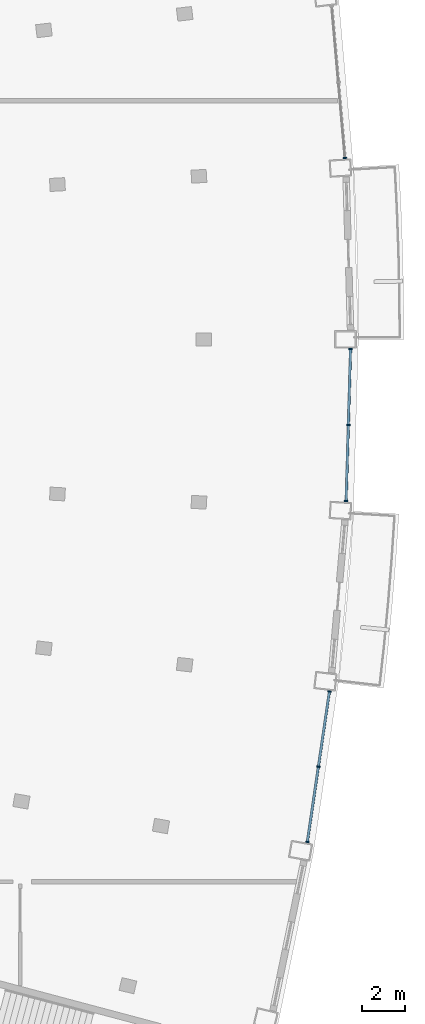
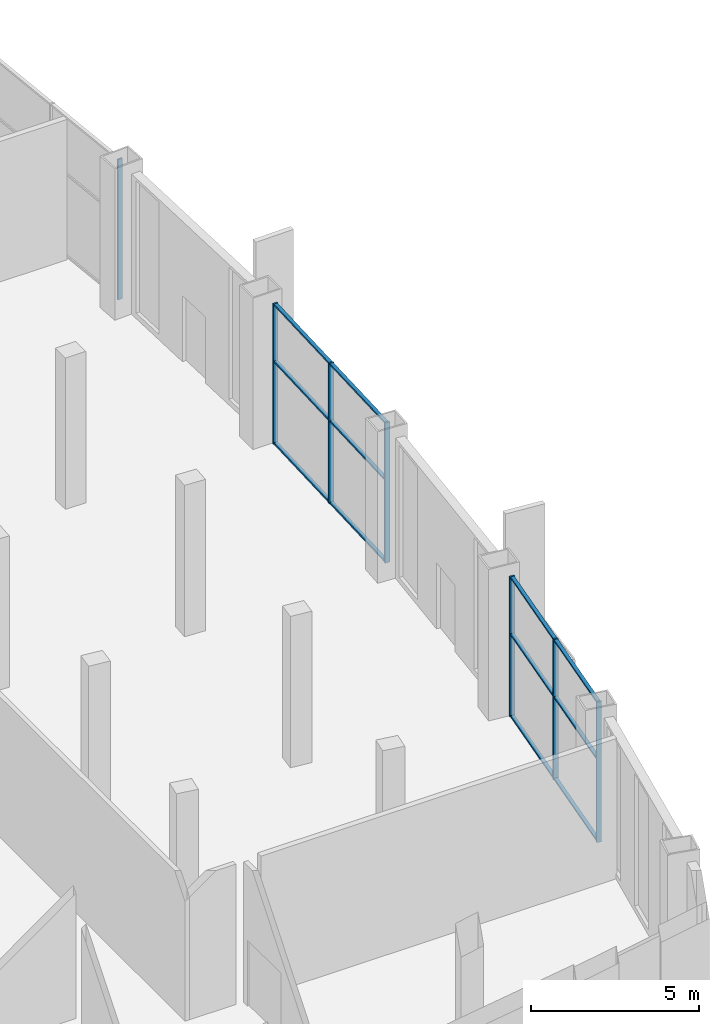
# One storey, part 3 of 13: 19 members, 3 elements without a shape of their own.
"""IFC4 building model written with IfcOpenShell, lengths in metres."""

from ifc_helpers import new_model, si_unit, direction, frame, origin, origin_2d, place, context, subcontext, project, spatial, rectangle, extrude, material, layer, layer_set, material_profile, profile_set, type_object, element, aggregate, save


model = new_model("IFC4")

# Units and contexts
model_context = context("Model", 3, precision=1e-05, world=origin(), true_north=direction((0.0, 1.0)))
body_context = subcontext(model_context, "Body", "Model", "MODEL_VIEW")
ifc_project = project(units=[si_unit("LENGTHUNIT", "METRE"), si_unit("AREAUNIT", "SQUARE_METRE"), si_unit("VOLUMEUNIT", "CUBIC_METRE"), si_unit("PLANEANGLEUNIT", "RADIAN"), si_unit("MASSUNIT", "GRAM", prefix="KILO")], contexts=[model_context])

# Site, building, storey
site_placement = place(None, origin())
site = spatial("IfcSite", under=ifc_project, at=site_placement, CompositionType="ELEMENT")
building_placement = place(site_placement, origin())
building = spatial("IfcBuilding", under=site, at=building_placement, Name="Alderwake Tower", CompositionType="ELEMENT")
storey_placement = place(building_placement, frame((0.0, 0.0, 304.5)))
storey = spatial("IfcBuildingStorey", under=building, at=storey_placement, Name="L74", CompositionType="ELEMENT", Elevation=304.5)

# Curtain wall, members
ifc_material_1 = material(Name="Bronze tinted glass in aluminium frame", Category="aluminium")
ifc_layer = layer(ifc_material_1, 0.199951171875)
ifc_layer_set = layer_set([ifc_layer], Name="Curtain wall CW5 sky amenity glazing")
curtain_wall_type = type_object("IfcCurtainWallType", Name="Curtain wall CW5 sky amenity glazing", PredefinedType="NOTDEFINED", material=ifc_layer_set)
curtain_wall_1_placement = place(storey_placement, origin())
curtain_wall_1 = element("IfcCurtainWall", 1, at=curtain_wall_1_placement, inside=storey, type_object=curtain_wall_type, Name="Curtain wall 1", PredefinedType="NOTDEFINED")
ifc_material_2 = material(Name="Aluminium bronze anodised", Category="aluminium")
ifc_material_profile_1 = material_profile(ifc_material_2, rectangle(XDim=0.159912109375, YDim=0.06005859375, at=origin_2d()), Name="Mullion MUE 60x160")
ifc_profile_set_1 = profile_set([ifc_material_profile_1], Name="Aluminium bronze anodised")
member_type_1 = type_object("IfcMemberType", Name="Mullion MUE 60x160", PredefinedType="MULLION", material=ifc_profile_set_1)
member_1_placement = place(storey_placement, frame((53.643798828125, 37.8291015625, 0.0), z_axis=(0.0, 0.0, 1.0), x_axis=(-0.989386131779, 0.145310296412, 0.0)))
member_1 = element("IfcMember", 2, at=member_1_placement, type_object=member_type_1, Name="CW.01 mullion 1", PredefinedType="MULLION", context=body_context, shape_type="SweptSolid", body=[
    extrude(rectangle(XDim=0.159912109375, YDim=0.06005859375, at=origin_2d()), origin(), (0.0, 0.0, 1.0), 5.10009765625),
])
member_2_placement = place(storey_placement, frame((54.15283203125, 41.296142578125, 0.0), z_axis=(0.0, 0.0, 1.0), x_axis=(-0.989386131779, 0.145310296412, 0.0)))
member_2 = element("IfcMember", 3, at=member_2_placement, type_object=member_type_1, Name="CW.01 mullion 2", PredefinedType="MULLION", context=body_context, shape_type="SweptSolid", body=[
    extrude(rectangle(XDim=0.159912109375, YDim=0.06005859375, at=origin_2d()), origin(), (0.0, 0.0, 1.0), 5.10009765625),
])
member_3_placement = place(storey_placement, frame((54.662109375, 44.76318359375, 0.0), z_axis=(0.0, 0.0, 1.0), x_axis=(-0.989386131779, 0.145310296412, 0.0)))
member_3 = element("IfcMember", 4, at=member_3_placement, type_object=member_type_1, Name="CW.01 mullion 3", PredefinedType="MULLION", context=body_context, shape_type="SweptSolid", body=[
    extrude(rectangle(XDim=0.159912109375, YDim=0.06005859375, at=origin_2d()), origin(), (0.0, 0.0, 1.0), 5.10009765625),
])

curtain_wall_2_placement = place(storey_placement, origin())
curtain_wall_2 = element("IfcCurtainWall", 5, at=curtain_wall_2_placement, inside=storey, type_object=curtain_wall_type, Name="Curtain wall 2", PredefinedType="NOTDEFINED")
member_4_placement = place(storey_placement, frame((55.432373046875, 53.54296875, 0.0), z_axis=(0.0, 0.0, 1.0), x_axis=(-0.99957482948, 0.029157507941, 0.0)))
member_4 = element("IfcMember", 6, at=member_4_placement, type_object=member_type_1, Name="CW.02 mullion 1", PredefinedType="MULLION", context=body_context, shape_type="SweptSolid", body=[
    extrude(rectangle(XDim=0.159912109375, YDim=0.06005859375, at=origin_2d()), origin(), (0.0, 0.0, 1.0), 5.10009765625),
])
member_5_placement = place(storey_placement, frame((55.53466796875, 57.045654296875, 0.0), z_axis=(0.0, 0.0, 1.0), x_axis=(-0.99957482948, 0.029157507941, 0.0)))
member_5 = element("IfcMember", 7, at=member_5_placement, type_object=member_type_1, Name="CW.02 mullion 2", PredefinedType="MULLION", context=body_context, shape_type="SweptSolid", body=[
    extrude(rectangle(XDim=0.159912109375, YDim=0.06005859375, at=origin_2d()), origin(), (0.0, 0.0, 1.0), 5.10009765625),
])
member_6_placement = place(storey_placement, frame((55.63671875, 60.548583984375, 0.0), z_axis=(0.0, 0.0, 1.0), x_axis=(-0.99957482948, 0.029157507941, 0.0)))
member_6 = element("IfcMember", 8, at=member_6_placement, type_object=member_type_1, Name="CW.02 mullion 3", PredefinedType="MULLION", context=body_context, shape_type="SweptSolid", body=[
    extrude(rectangle(XDim=0.159912109375, YDim=0.06005859375, at=origin_2d()), origin(), (0.0, 0.0, 1.0), 5.10009765625),
])

# Curtain wall, member
curtain_wall_3_placement = place(storey_placement, origin())
curtain_wall_3 = element("IfcCurtainWall", 9, at=curtain_wall_3_placement, inside=storey, type_object=curtain_wall_type, Name="Curtain wall 3", PredefinedType="NOTDEFINED")
member_7_placement = place(storey_placement, frame((55.3798828125, 69.3583984375, 0.0), z_axis=(0.0, 0.0, 1.0), x_axis=(-0.996174205388, -0.087389659115, 0.0)))
member_7 = element("IfcMember", 10, at=member_7_placement, type_object=member_type_1, Name="CW.03 mullion 1", PredefinedType="MULLION", context=body_context, shape_type="SweptSolid", body=[
    extrude(rectangle(XDim=0.159912109375, YDim=0.06005859375, at=origin_2d()), origin(), (0.0, 0.0, 1.0), 5.10009765625),
])
aggregate(curtain_wall_3, [member_7])

# Member
ifc_material_3 = material(Name="Aluminium bronze anodised", Category="aluminium")
ifc_material_profile_2 = material_profile(ifc_material_3, rectangle(XDim=0.1201171875, YDim=0.06005859375, at=origin_2d()), Name="Transom TRE 60x120")
ifc_profile_set_2 = profile_set([ifc_material_profile_2], Name="Aluminium bronze anodised")
member_type_2 = type_object("IfcMemberType", Name="Transom TRE 60x120", PredefinedType="USERDEFINED", material=ifc_profile_set_2)
member_8_placement = place(storey_placement, frame((53.648193359375, 37.85888671875, 0.030029296875), z_axis=(0.145320519597, 0.989384630255, 0.0), x_axis=(-0.989384630255, 0.145320519597, 0.0)))
member_8 = element("IfcMember", 11, at=member_8_placement, type_object=member_type_2, Name="CW.01 transom 1.1", ObjectType="TRANSOM", PredefinedType="USERDEFINED", context=body_context, shape_type="SweptSolid", body=[
    extrude(rectangle(XDim=0.1201171875, YDim=0.06005859375, at=origin_2d()), origin(), (0.0, 0.0, 1.0), 3.444091796875),
])

member_9_placement = place(storey_placement, frame((53.648193359375, 37.85888671875, 3.0), z_axis=(0.145320519597, 0.989384630255, 0.0), x_axis=(-0.989384630255, 0.145320519597, 0.0)))
member_9 = element("IfcMember", 12, at=member_9_placement, type_object=member_type_2, Name="CW.01 transom 1.2", ObjectType="TRANSOM", PredefinedType="USERDEFINED", context=body_context, shape_type="SweptSolid", body=[
    extrude(rectangle(XDim=0.1201171875, YDim=0.06005859375, at=origin_2d()), origin(), (0.0, 0.0, 1.0), 3.444091796875),
])

member_10_placement = place(storey_placement, frame((53.648193359375, 37.85888671875, 5.070068359375), z_axis=(0.145320519597, 0.989384630255, 0.0), x_axis=(-0.989384630255, 0.145320519597, 0.0)))
member_10 = element("IfcMember", 13, at=member_10_placement, type_object=member_type_2, Name="CW.01 transom 1.3", ObjectType="TRANSOM", PredefinedType="USERDEFINED", context=body_context, shape_type="SweptSolid", body=[
    extrude(rectangle(XDim=0.1201171875, YDim=0.06005859375, at=origin_2d()), origin(), (0.0, 0.0, 1.0), 3.444091796875),
])

member_11_placement = place(storey_placement, frame((54.1572265625, 41.325927734375, 0.030029296875), z_axis=(0.145320519597, 0.989384630255, 0.0), x_axis=(-0.989384630255, 0.145320519597, 0.0)))
member_11 = element("IfcMember", 14, at=member_11_placement, type_object=member_type_2, Name="CW.01 transom 2.1", ObjectType="TRANSOM", PredefinedType="USERDEFINED", context=body_context, shape_type="SweptSolid", body=[
    extrude(rectangle(XDim=0.1201171875, YDim=0.06005859375, at=origin_2d()), origin(), (0.0, 0.0, 1.0), 3.444091796875),
])

member_12_placement = place(storey_placement, frame((54.1572265625, 41.325927734375, 3.0), z_axis=(0.145320519597, 0.989384630255, 0.0), x_axis=(-0.989384630255, 0.145320519597, 0.0)))
member_12 = element("IfcMember", 15, at=member_12_placement, type_object=member_type_2, Name="CW.01 transom 2.2", ObjectType="TRANSOM", PredefinedType="USERDEFINED", context=body_context, shape_type="SweptSolid", body=[
    extrude(rectangle(XDim=0.1201171875, YDim=0.06005859375, at=origin_2d()), origin(), (0.0, 0.0, 1.0), 3.444091796875),
])

member_13_placement = place(storey_placement, frame((54.1572265625, 41.325927734375, 5.070068359375), z_axis=(0.145320519597, 0.989384630255, 0.0), x_axis=(-0.989384630255, 0.145320519597, 0.0)))
member_13 = element("IfcMember", 16, at=member_13_placement, type_object=member_type_2, Name="CW.01 transom 2.3", ObjectType="TRANSOM", PredefinedType="USERDEFINED", context=body_context, shape_type="SweptSolid", body=[
    extrude(rectangle(XDim=0.1201171875, YDim=0.06005859375, at=origin_2d()), origin(), (0.0, 0.0, 1.0), 3.444091796875),
])

aggregate(curtain_wall_1, [member_1, member_2, member_3, member_8, member_9, member_10, member_11, member_12, member_13])

member_14_placement = place(storey_placement, frame((55.433349609375, 53.572998046875, 0.030029296875), z_axis=(0.029132431954, 0.99957556063, 0.0), x_axis=(-0.99957556063, 0.029132431954, 0.0)))
member_14 = element("IfcMember", 17, at=member_14_placement, type_object=member_type_2, Name="CW.02 transom 1.1", ObjectType="TRANSOM", PredefinedType="USERDEFINED", context=body_context, shape_type="SweptSolid", body=[
    extrude(rectangle(XDim=0.1201171875, YDim=0.06005859375, at=origin_2d()), origin(), (0.0, 0.0, 1.0), 3.4443359375),
])

member_15_placement = place(storey_placement, frame((55.433349609375, 53.572998046875, 3.0), z_axis=(0.029132431954, 0.99957556063, 0.0), x_axis=(-0.99957556063, 0.029132431954, 0.0)))
member_15 = element("IfcMember", 18, at=member_15_placement, type_object=member_type_2, Name="CW.02 transom 1.2", ObjectType="TRANSOM", PredefinedType="USERDEFINED", context=body_context, shape_type="SweptSolid", body=[
    extrude(rectangle(XDim=0.1201171875, YDim=0.06005859375, at=origin_2d()), origin(), (0.0, 0.0, 1.0), 3.4443359375),
])

member_16_placement = place(storey_placement, frame((55.433349609375, 53.572998046875, 5.070068359375), z_axis=(0.029132431954, 0.99957556063, 0.0), x_axis=(-0.99957556063, 0.029132431954, 0.0)))
member_16 = element("IfcMember", 19, at=member_16_placement, type_object=member_type_2, Name="CW.02 transom 1.3", ObjectType="TRANSOM", PredefinedType="USERDEFINED", context=body_context, shape_type="SweptSolid", body=[
    extrude(rectangle(XDim=0.1201171875, YDim=0.06005859375, at=origin_2d()), origin(), (0.0, 0.0, 1.0), 3.4443359375),
])

member_17_placement = place(storey_placement, frame((55.53564453125, 57.07568359375, 0.030029296875), z_axis=(0.029132431954, 0.99957556063, 0.0), x_axis=(-0.99957556063, 0.029132431954, 0.0)))
member_17 = element("IfcMember", 20, at=member_17_placement, type_object=member_type_2, Name="CW.02 transom 2.1", ObjectType="TRANSOM", PredefinedType="USERDEFINED", context=body_context, shape_type="SweptSolid", body=[
    extrude(rectangle(XDim=0.1201171875, YDim=0.06005859375, at=origin_2d()), origin(), (0.0, 0.0, 1.0), 3.4443359375),
])

member_18_placement = place(storey_placement, frame((55.53564453125, 57.07568359375, 3.0), z_axis=(0.029132431954, 0.99957556063, 0.0), x_axis=(-0.99957556063, 0.029132431954, 0.0)))
member_18 = element("IfcMember", 21, at=member_18_placement, type_object=member_type_2, Name="CW.02 transom 2.2", ObjectType="TRANSOM", PredefinedType="USERDEFINED", context=body_context, shape_type="SweptSolid", body=[
    extrude(rectangle(XDim=0.1201171875, YDim=0.06005859375, at=origin_2d()), origin(), (0.0, 0.0, 1.0), 3.4443359375),
])

member_19_placement = place(storey_placement, frame((55.53564453125, 57.07568359375, 5.070068359375), z_axis=(0.029132431954, 0.99957556063, 0.0), x_axis=(-0.99957556063, 0.029132431954, 0.0)))
member_19 = element("IfcMember", 22, at=member_19_placement, type_object=member_type_2, Name="CW.02 transom 2.3", ObjectType="TRANSOM", PredefinedType="USERDEFINED", context=body_context, shape_type="SweptSolid", body=[
    extrude(rectangle(XDim=0.1201171875, YDim=0.06005859375, at=origin_2d()), origin(), (0.0, 0.0, 1.0), 3.4443359375),
])

aggregate(curtain_wall_2, [member_4, member_5, member_6, member_14, member_15, member_16, member_17, member_18, member_19])

save(model, "model.ifc")
